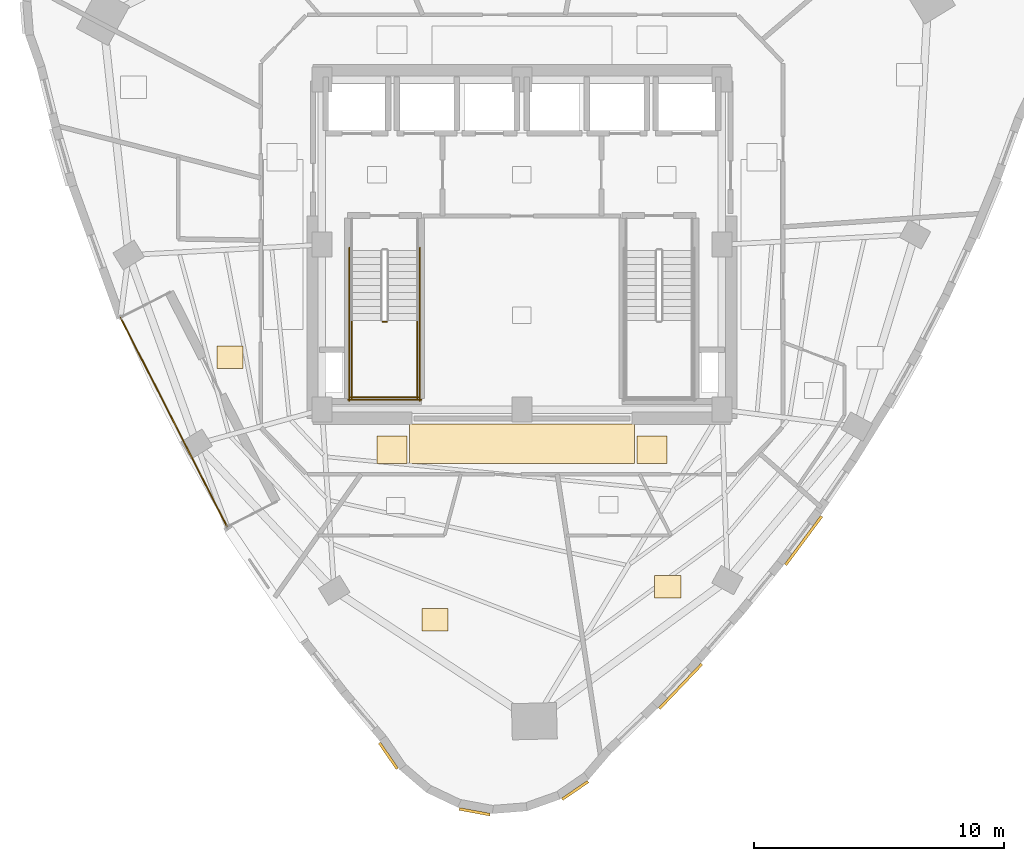
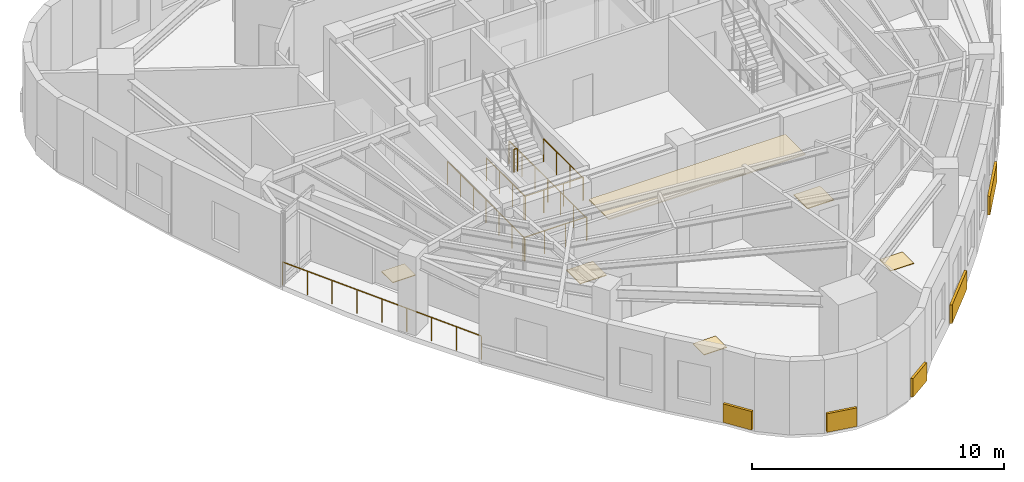
# One storey, part 10 of 12: 11 coverings, 8 railings.
"""IFC4 building model written with IfcOpenShell, lengths in metres."""

from ifc_helpers import new_model, si_unit, direction, frame, origin, origin_2d, place, context, subcontext, project, spatial, rectangle, circle, extrude, material, layer, layer_set, type_object, element, save


model = new_model("IFC4")

# Units and contexts
model_context = context("Model", 3, precision=1e-05, world=origin(), true_north=direction((0.0, 1.0)))
body_context = subcontext(model_context, "Body", "Model", "MODEL_VIEW")
ifc_project = project(units=[si_unit("LENGTHUNIT", "METRE"), si_unit("AREAUNIT", "SQUARE_METRE"), si_unit("VOLUMEUNIT", "CUBIC_METRE"), si_unit("PLANEANGLEUNIT", "RADIAN"), si_unit("MASSUNIT", "GRAM", prefix="KILO")], contexts=[model_context])

# Site, building, storey
site_placement = place(None, origin())
site = spatial("IfcSite", under=ifc_project, at=site_placement, CompositionType="ELEMENT")
building_placement = place(site_placement, origin())
building = spatial("IfcBuilding", under=site, at=building_placement, Name="Ndelora Gate Hotel", CompositionType="ELEMENT")
storey_placement = place(building_placement, frame((0.0, 0.0, 201.75)))
storey = spatial("IfcBuildingStorey", under=building, at=storey_placement, Name="L50", CompositionType="ELEMENT", Elevation=201.75)

# Coverings
ifc_material_1 = material(Name="Perforated Acoustic Gypsum Board", Category="gypsum")
ifc_layer_1 = layer(ifc_material_1, 0.054931640625)
ifc_layer_set_1 = layer_set([ifc_layer_1], Name="Perforated Acoustic Gypsum Board")
covering_type_1 = type_object("IfcCoveringType", Name="COV-CEIL-AC60", PredefinedType="CEILING", material=ifc_layer_set_1)
covering_1_placement = place(storey_placement, frame((0.0, -7.9599609375, 2.65234375), z_axis=(0.0, 0.0, 1.0), x_axis=(1.0, 0.0, 0.0)))
element("IfcCovering", 1, at=covering_1_placement, inside=storey, type_object=covering_type_1, Name="L50 Guest Corridor Acoustic Ceiling S", PredefinedType="CEILING", context=body_context, shape_type="SweptSolid", body=[
    extrude(rectangle(XDim=9.0, YDim=1.580078125, at=origin_2d()), origin(), (0.0, 0.0, 1.0), 0.054931640625),
])
ifc_material_2 = material(Name="Terracotta Fired Clay Brick Slip Cladding", Category="masonry")
ifc_layer_2 = layer(ifc_material_2, 0.110107421875)
ifc_layer_set_2 = layer_set([ifc_layer_2], Name="Terracotta Fired Clay Brick Slip Cladding")
covering_type_2 = type_object("IfcCoveringType", Name="COV-CLAD-BRK", PredefinedType="CLADDING", material=ifc_layer_set_2)
covering_2_placement = place(storey_placement, frame((-5.341064453125, -20.4482421875, 0.10009765625), z_axis=(0.0, 0.0, 1.0), x_axis=(-0.566406236925, 0.824126188622, 0.0)))
element("IfcCovering", 2, at=covering_2_placement, inside=storey, type_object=covering_type_2, Name="L50 Rounded-Corner Brick Cladding Band 19", PredefinedType="CLADDING", context=body_context, shape_type="SweptSolid", body=[
    extrude(rectangle(XDim=1.258056640625, YDim=0.110107421875, at=origin_2d()), origin(), (0.0, 0.0, 1.0), 0.89990234375),
])
for number, where, z_axis, x_axis, name in (
    (3, (-1.8916015625, -22.6884765625, 0.10009765625), (0.0, 0.0, 1.0), (-0.983254907564, 0.182235525492, 0.0), "L50 Rounded-Corner Brick Cladding Band 22"),
    (4, (2.131591796875, -21.833251953125, 0.10009765625), (0.0, 0.0, 1.0), (0.824126188622, 0.566406236925, 0.0), "L50 Rounded-Corner Brick Cladding Band 25"),
):
    element("IfcCovering", number, at=place(storey_placement, frame(where, z_axis=z_axis, x_axis=x_axis)), inside=storey, type_object=covering_type_2, Name=name, PredefinedType="CLADDING", context=body_context, shape_type="SweptSolid", body=[
        extrude(rectangle(XDim=1.257080078125, YDim=0.110107421875, at=origin_2d()), origin(), (0.0, 0.0, 1.0), 0.89990234375),
    ])
covering_3_placement = place(storey_placement, frame((6.34814453125, -17.66845703125, 0.10009765625), z_axis=(0.0, 0.0, 1.0), x_axis=(0.690756218984, 0.723087716626, 0.0)))
element("IfcCovering", 5, at=covering_3_placement, inside=storey, type_object=covering_type_2, Name="L50 Rounded-Corner Brick Cladding Band 28", PredefinedType="CLADDING", context=body_context, shape_type="SweptSolid", body=[
    extrude(rectangle(XDim=2.4599609375, YDim=0.110107421875, at=origin_2d()), origin(), (0.0, 0.0, 1.0), 0.89990234375),
])
covering_4_placement = place(storey_placement, frame((11.2724609375, -11.836181640625, 0.10009765625), z_axis=(0.0, 0.0, 1.0), x_axis=(0.596224874966, 0.802817475191, 0.0)))
element("IfcCovering", 6, at=covering_4_placement, inside=storey, type_object=covering_type_2, Name="L50 Rounded-Corner Brick Cladding Band 31", PredefinedType="CLADDING", context=body_context, shape_type="SweptSolid", body=[
    extrude(rectangle(XDim=2.4208984375, YDim=0.110107421875, at=origin_2d()), origin(), (0.0, 0.0, 1.0), 0.89990234375),
])
ifc_material_3 = material(Name="Engineered Highland Oak Parquet", Category="wood")
ifc_layer_3 = layer(ifc_material_3, 0.030029296875)
ifc_layer_set_3 = layer_set([ifc_layer_3], Name="Engineered Highland Oak Parquet")
covering_type_3 = type_object("IfcCoveringType", Name="COV-FLR-PARQ", PredefinedType="FLOORING", material=ifc_layer_set_3)
for number, where, z_axis, x_axis, name in (
    (7, (-11.674072265625, -4.507080078125, 0.0), (0.0, 0.0, 1.0), (1.0, 0.0, 0.0), "L50 Sky Garden Tea Dining Room Oak Parquet Flooring"),
    (8, (-3.4775390625, -15.001708984375, 0.0), (0.0, 0.0, 1.0), (1.0, 0.0, 0.0), "L50 Grand Corner Suite 5301 Oak Parquet Flooring"),
    (9, (5.8330078125, -13.67529296875, 0.0), (0.0, 0.0, 1.0), (1.0, 0.0, 0.0), "L50 South Panoramic Suite 5302 Oak Parquet Flooring"),
):
    element("IfcCovering", number, at=place(storey_placement, frame(where, z_axis=z_axis, x_axis=x_axis)), inside=storey, type_object=covering_type_3, Name=name, PredefinedType="FLOORING", context=body_context, shape_type="SweptSolid", body=[
        extrude(rectangle(XDim=1.050048828125, YDim=0.89990234375, at=origin_2d()), origin(), (0.0, 0.0, 1.0), 0.030029296875),
    ])
ifc_material_4 = material(Name="Polished Highland Stone Terrazzo", Category="masonry")
ifc_layer_4 = layer(ifc_material_4, 0.034912109375)
ifc_layer_set_4 = layer_set([ifc_layer_4], Name="Polished Highland Stone Terrazzo")
covering_type_4 = type_object("IfcCoveringType", Name="COV-FLR-TERZ", PredefinedType="FLOORING", material=ifc_layer_set_4)
for number, where, z_axis, x_axis, name in (
    (10, (-5.199951171875, -8.199951171875, 0.0), (0.0, 0.0, 1.0), (1.0, 0.0, 0.0), "L50 Corridor Threshold Terrazzo Inlay SW"),
    (11, (5.199951171875, -8.199951171875, 0.0), (0.0, 0.0, 1.0), (1.0, 0.0, 0.0), "L50 Corridor Threshold Terrazzo Inlay SE"),
):
    element("IfcCovering", number, at=place(storey_placement, frame(where, z_axis=z_axis, x_axis=x_axis)), inside=storey, type_object=covering_type_4, Name=name, PredefinedType="FLOORING", context=body_context, shape_type="SweptSolid", body=[
        extrude(rectangle(XDim=1.199951171875, YDim=1.10009765625, at=origin_2d()), origin(), (0.0, 0.0, 1.0), 0.034912109375),
    ])

# Railings
ifc_material_5 = material(Name="Laminated Safety Glass and Bronze Top Rail", Category="glass")
ifc_layer_5 = layer(ifc_material_5, 0.070068359375)
ifc_layer_set_5 = layer_set([ifc_layer_5], Name="Laminated Safety Glass and Bronze Top Rail")
railing_type_1 = type_object("IfcRailingType", Name="RL-BAL-1150", PredefinedType="BALUSTRADE", material=ifc_layer_set_5)
railing_1_placement = place(storey_placement, frame((-16.06005859375, -2.908203125, 0.0)))
element("IfcRailing", 12, at=railing_1_placement, inside=storey, type_object=railing_type_1, Name="L50 Sky-Garden Loggia Terrace Balustrade", PredefinedType="BALUSTRADE", context=body_context, shape_type="SweptSolid", body=[
    extrude(circle(Radius=0.02392578125, at=origin_2d()), frame((0.0, 0.0, 1.1357421875), z_axis=(0.453995034503, -0.891004213596, 0.0), x_axis=(0.891004213596, 0.453995034503, 0.0)), (0.0, 0.0, 1.0), 9.400146484375),
    extrude(circle(Radius=0.02099609375, at=origin_2d()), origin(), (0.0, 0.0, 1.0), 1.11181640625),
    extrude(circle(Radius=0.02099609375, at=origin_2d()), frame((0.533447265625, -1.046875, 0.0)), (0.0, 0.0, 1.0), 1.11181640625),
    extrude(circle(Radius=0.02099609375, at=origin_2d()), frame((1.06689453125, -2.09375, 0.0)), (0.0, 0.0, 1.0), 1.11181640625),
    extrude(circle(Radius=0.02099609375, at=origin_2d()), frame((1.600341796875, -3.140869140625, 0.0)), (0.0, 0.0, 1.0), 1.11181640625),
    extrude(circle(Radius=0.02099609375, at=origin_2d()), frame((2.1337890625, -4.187744140625, 0.0)), (0.0, 0.0, 1.0), 1.11181640625),
    extrude(circle(Radius=0.02099609375, at=origin_2d()), frame((2.667236328125, -5.234619140625, 0.0)), (0.0, 0.0, 1.0), 1.11181640625),
    extrude(circle(Radius=0.02099609375, at=origin_2d()), frame((3.20068359375, -6.28173828125, 0.0)), (0.0, 0.0, 1.0), 1.11181640625),
    extrude(circle(Radius=0.02099609375, at=origin_2d()), frame((3.734130859375, -7.32861328125, 0.0)), (0.0, 0.0, 1.0), 1.11181640625),
    extrude(circle(Radius=0.02099609375, at=origin_2d()), frame((4.267578125, -8.37548828125, 0.0)), (0.0, 0.0, 1.0), 1.11181640625),
])
ifc_material_6 = material(Name="Painted Galvanized Steel Balustrade", Category="steel")
ifc_layer_6 = layer(ifc_material_6, 0.06005859375)
ifc_layer_set_6 = layer_set([ifc_layer_6], Name="Painted Galvanized Steel Balustrade")
railing_type_2 = type_object("IfcRailingType", Name="RL-STAIR-GD", PredefinedType="GUARDRAIL", material=ifc_layer_set_6)
railing_2_placement = place(storey_placement, frame((-5.570068359375, -3.080078125, 1.89990234375)))
element("IfcRailing", 13, at=railing_2_placement, inside=storey, type_object=railing_type_2, Name="L50 ST4 stair guard 2", PredefinedType="GUARDRAIL", context=body_context, shape_type="SweptSolid", body=[
    extrude(circle(Radius=0.02392578125, at=origin_2d()), frame((0.0, 0.0, 1.10595703125), z_axis=(1.0, 0.0, 0.0), x_axis=(0.0, 1.0, 0.0)), (0.0, 0.0, 1.0), 0.16015625),
    extrude(circle(Radius=0.02099609375, at=origin_2d()), origin(), (0.0, 0.0, 1.0), 1.081787109375),
    extrude(circle(Radius=0.02099609375, at=origin_2d()), frame((0.16015625, 0.0, 0.0)), (0.0, 0.0, 1.0), 1.081787109375),
])
for number, where, name in (
    (14, (-6.800048828125, -3.030029296875, 1.89990234375), "L50 ST4 stair guard 3"),
    (15, (-4.179931640625, -3.030029296875, 1.89990234375), "L50 ST4 stair guard 4"),
):
    element("IfcRailing", number, at=place(storey_placement, frame(where)), inside=storey, type_object=railing_type_2, Name=name, PredefinedType="GUARDRAIL", context=body_context, shape_type="SweptSolid", body=[
        extrude(circle(Radius=0.02392578125, at=origin_2d()), frame((0.0, 0.0, 1.10595703125), z_axis=(0.0, -1.0, 0.0), x_axis=(1.0, 0.0, 0.0)), (0.0, 0.0, 1.0), 3.119873046875),
        extrude(circle(Radius=0.02099609375, at=origin_2d()), origin(), (0.0, 0.0, 1.0), 1.081787109375),
        extrude(circle(Radius=0.02099609375, at=origin_2d()), frame((0.0, -1.0400390625, 0.0)), (0.0, 0.0, 1.0), 1.081787109375),
        extrude(circle(Radius=0.02099609375, at=origin_2d()), frame((0.0, -2.079833984375, 0.0)), (0.0, 0.0, 1.0), 1.081787109375),
        extrude(circle(Radius=0.02099609375, at=origin_2d()), frame((0.0, -3.119873046875, 0.0)), (0.0, 0.0, 1.0), 1.081787109375),
    ])
railing_3_placement = place(storey_placement, frame((-6.85009765625, -6.10009765625, 1.89990234375)))
element("IfcRailing", 16, at=railing_3_placement, inside=storey, type_object=railing_type_2, Name="L50 ST4 stair guard 5", PredefinedType="GUARDRAIL", context=body_context, shape_type="SweptSolid", body=[
    extrude(circle(Radius=0.02392578125, at=origin_2d()), frame((0.0, 0.0, 1.10595703125), z_axis=(1.0, 0.0, 0.0), x_axis=(0.0, 1.0, 0.0)), (0.0, 0.0, 1.0), 2.72021484375),
    extrude(circle(Radius=0.02099609375, at=origin_2d()), origin(), (0.0, 0.0, 1.0), 1.081787109375),
    extrude(circle(Radius=0.02099609375, at=origin_2d()), frame((0.90673828125, 0.0, 0.0)), (0.0, 0.0, 1.0), 1.081787109375),
    extrude(circle(Radius=0.02099609375, at=origin_2d()), frame((1.8134765625, 0.0, 0.0)), (0.0, 0.0, 1.0), 1.081787109375),
    extrude(circle(Radius=0.02099609375, at=origin_2d()), frame((2.72021484375, 0.0, 0.0)), (0.0, 0.0, 1.0), 1.081787109375),
])
for number, where, name in (
    (17, (-6.89990234375, -0.1298828125, 0.0), "L50 ST4 stair guard 10"),
    (18, (-4.080078125, -0.1298828125, 0.0), "L50 ST4 stair guard 11"),
):
    element("IfcRailing", number, at=place(storey_placement, frame(where)), inside=storey, type_object=railing_type_2, Name=name, PredefinedType="GUARDRAIL", context=body_context, shape_type="SweptSolid", body=[
        extrude(circle(Radius=0.02392578125, at=origin_2d()), frame((0.0, 0.0, 1.10595703125), z_axis=(0.0, -1.0, 0.0), x_axis=(1.0, 0.0, 0.0)), (0.0, 0.0, 1.0), 6.1201171875),
        extrude(circle(Radius=0.02099609375, at=origin_2d()), origin(), (0.0, 0.0, 1.0), 1.081787109375),
        extrude(circle(Radius=0.02099609375, at=origin_2d()), frame((0.0, -1.02001953125, 0.0)), (0.0, 0.0, 1.0), 1.081787109375),
        extrude(circle(Radius=0.02099609375, at=origin_2d()), frame((0.0, -2.0400390625, 0.0)), (0.0, 0.0, 1.0), 1.081787109375),
        extrude(circle(Radius=0.02099609375, at=origin_2d()), frame((0.0, -3.06005859375, 0.0)), (0.0, 0.0, 1.0), 1.081787109375),
        extrude(circle(Radius=0.02099609375, at=origin_2d()), frame((0.0, -4.080078125, 0.0)), (0.0, 0.0, 1.0), 1.081787109375),
        extrude(circle(Radius=0.02099609375, at=origin_2d()), frame((0.0, -5.10009765625, 0.0)), (0.0, 0.0, 1.0), 1.081787109375),
        extrude(circle(Radius=0.02099609375, at=origin_2d()), frame((0.0, -6.1201171875, 0.0)), (0.0, 0.0, 1.0), 1.081787109375),
    ])
railing_4_placement = place(storey_placement, frame((-6.949951171875, -6.199951171875, 0.0)))
element("IfcRailing", 19, at=railing_4_placement, inside=storey, type_object=railing_type_2, Name="L50 ST4 stair guard 12", PredefinedType="GUARDRAIL", context=body_context, shape_type="SweptSolid", body=[
    extrude(circle(Radius=0.02392578125, at=origin_2d()), frame((0.0, 0.0, 1.10595703125), z_axis=(1.0, 0.0, 0.0), x_axis=(0.0, 1.0, 0.0)), (0.0, 0.0, 1.0), 2.919921875),
    extrude(circle(Radius=0.02099609375, at=origin_2d()), origin(), (0.0, 0.0, 1.0), 1.081787109375),
    extrude(circle(Radius=0.02099609375, at=origin_2d()), frame((0.973388671875, 0.0, 0.0)), (0.0, 0.0, 1.0), 1.081787109375),
    extrude(circle(Radius=0.02099609375, at=origin_2d()), frame((1.946533203125, 0.0, 0.0)), (0.0, 0.0, 1.0), 1.081787109375),
    extrude(circle(Radius=0.02099609375, at=origin_2d()), frame((2.919921875, 0.0, 0.0)), (0.0, 0.0, 1.0), 1.081787109375),
])

save(model, "model.ifc")
